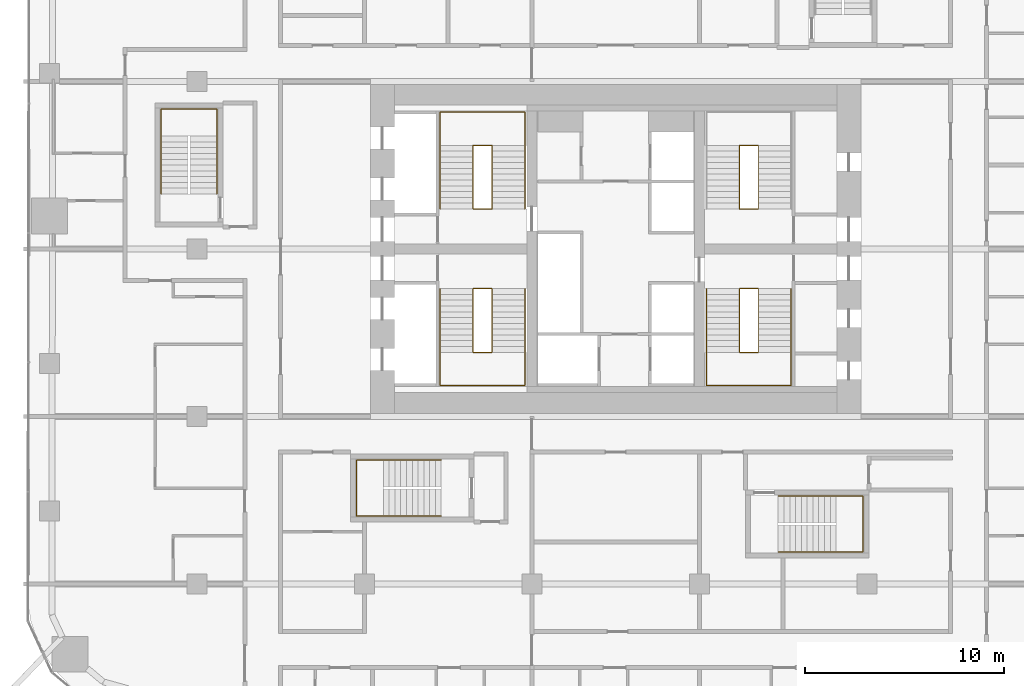
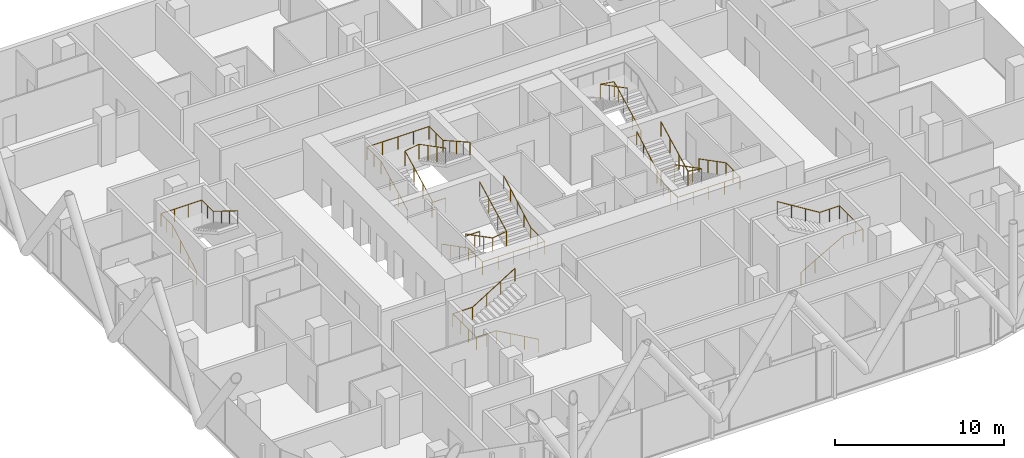
# One storey, part 33 of 34: 10 railings.
"""IFC4 building model written with IfcOpenShell, lengths in metres."""

from ifc_helpers import new_model, si_unit, direction, frame, origin, origin_2d, place, context, subcontext, project, spatial, circle, extrude, material, type_object, element, save


model = new_model("IFC4")

# Units and contexts
model_context = context("Model", 3, precision=1e-05, world=origin(), true_north=direction((0.0, 1.0)))
body_context = subcontext(model_context, "Body", "Model", "MODEL_VIEW")
ifc_project = project(units=[si_unit("LENGTHUNIT", "METRE"), si_unit("AREAUNIT", "SQUARE_METRE"), si_unit("VOLUMEUNIT", "CUBIC_METRE"), si_unit("PLANEANGLEUNIT", "RADIAN"), si_unit("MASSUNIT", "GRAM", prefix="KILO")], contexts=[model_context])

# Site, building, storey
site_placement = place(None, origin())
site = spatial("IfcSite", under=ifc_project, at=site_placement, CompositionType="ELEMENT")
building_placement = place(site_placement, origin())
building = spatial("IfcBuilding", under=site, at=building_placement, Name="Marenta Gate Hotel Tower", CompositionType="ELEMENT")
storey_placement = place(building_placement, frame((0.0, 0.0, 47.300048828125)))
storey = spatial("IfcBuildingStorey", under=building, at=storey_placement, Name="L09", CompositionType="ELEMENT", Elevation=47.300048828125)

# Railings
ifc_material_1 = material(Name="Stainless steel", Category="steel")
railing_type_1 = type_object("IfcRailingType", Name="Core stair handrail 950", PredefinedType="HANDRAIL", material=ifc_material_1)
railing_1_placement = place(storey_placement, frame((-8.800048828125, 6.39990234375, 0.14990234375)))
element("IfcRailing", 1, at=railing_1_placement, inside=storey, type_object=railing_type_1, Name="HR-950 L09-KR-ST1-1", PredefinedType="HANDRAIL", context=body_context, shape_type="SweptSolid", body=[
    extrude(circle(Radius=0.02392578125, at=origin_2d()), frame((0.0, 0.0, 0.92578125), z_axis=(0.0, -0.888197555067, 0.459461753765), x_axis=(1.0, 0.0, 0.0)), (0.0, 0.0, 1.0), 3.591552734375),
    extrude(circle(Radius=0.02392578125, at=origin_2d()), frame((0.0, -3.18994140625, 2.576171875), z_axis=(0.0, -1.0, 0.0), x_axis=(1.0, 0.0, 0.0)), (0.0, 0.0, 1.0), 1.659912109375),
    extrude(circle(Radius=0.02392578125, at=origin_2d()), frame((0.0, -4.849853515625, 2.576171875), z_axis=(1.0, 0.0, 0.0), x_axis=(0.0, 1.0, 0.0)), (0.0, 0.0, 1.0), 4.25),
    extrude(circle(Radius=0.02392578125, at=origin_2d()), frame((4.25, -4.849853515625, 2.576171875), z_axis=(0.0, 1.0, 0.0), x_axis=(-1.0, 0.0, 0.0)), (0.0, 0.0, 1.0), 1.659912109375),
    extrude(circle(Radius=0.02392578125, at=origin_2d()), frame((4.25, -3.18994140625, 2.576171875), z_axis=(0.0, 0.870937506535, 0.491393792911), x_axis=(-1.0, 0.0, 0.0)), (0.0, 0.0, 1.0), 3.66259765625),
    extrude(circle(Radius=0.02099609375, at=origin_2d()), origin(), (0.0, 0.0, 1.0), 0.90185546875),
    extrude(circle(Radius=0.02099609375, at=origin_2d()), frame((0.0, -1.063232421875, 0.550048828125)), (0.0, 0.0, 1.0), 0.90185546875),
    extrude(circle(Radius=0.02099609375, at=origin_2d()), frame((0.0, -2.126708984375, 1.10009765625)), (0.0, 0.0, 1.0), 0.90185546875),
    extrude(circle(Radius=0.02099609375, at=origin_2d()), frame((0.0, -3.18994140625, 1.650146484375)), (0.0, 0.0, 1.0), 0.90185546875),
    extrude(circle(Radius=0.02099609375, at=origin_2d()), frame((0.0, -4.02001953125, 1.650146484375)), (0.0, 0.0, 1.0), 0.90185546875),
    extrude(circle(Radius=0.02099609375, at=origin_2d()), frame((0.0, -4.849853515625, 1.650146484375)), (0.0, 0.0, 1.0), 0.90185546875),
    extrude(circle(Radius=0.02099609375, at=origin_2d()), frame((1.0625, -4.849853515625, 1.650146484375)), (0.0, 0.0, 1.0), 0.90185546875),
    extrude(circle(Radius=0.02099609375, at=origin_2d()), frame((2.125, -4.849853515625, 1.650146484375)), (0.0, 0.0, 1.0), 0.90185546875),
    extrude(circle(Radius=0.02099609375, at=origin_2d()), frame((3.1875, -4.849853515625, 1.650146484375)), (0.0, 0.0, 1.0), 0.90185546875),
    extrude(circle(Radius=0.02099609375, at=origin_2d()), frame((4.25, -4.849853515625, 1.650146484375)), (0.0, 0.0, 1.0), 0.90185546875),
    extrude(circle(Radius=0.02099609375, at=origin_2d()), frame((4.25, -4.02001953125, 1.650146484375)), (0.0, 0.0, 1.0), 0.90185546875),
    extrude(circle(Radius=0.02099609375, at=origin_2d()), frame((4.25, -3.18994140625, 1.650146484375)), (0.0, 0.0, 1.0), 0.90185546875),
    extrude(circle(Radius=0.02099609375, at=origin_2d()), frame((4.25, -2.392578125, 2.10009765625)), (0.0, 0.0, 1.0), 0.90185546875),
    extrude(circle(Radius=0.02099609375, at=origin_2d()), frame((4.25, -1.594970703125, 2.550048828125)), (0.0, 0.0, 1.0), 0.90185546875),
    extrude(circle(Radius=0.02099609375, at=origin_2d()), frame((4.25, -0.79736328125, 3.0)), (0.0, 0.0, 1.0), 0.90185546875),
    extrude(circle(Radius=0.02099609375, at=origin_2d()), frame((4.25, 0.0, 3.449951171875)), (0.0, 0.0, 1.0), 0.90185546875),
])
railing_2_placement = place(storey_placement, frame((-8.800048828125, 10.39990234375, 0.14990234375)))
element("IfcRailing", 2, at=railing_2_placement, inside=storey, type_object=railing_type_1, Name="HR-950 L09-KR-ST2-1", PredefinedType="HANDRAIL", context=body_context, shape_type="SweptSolid", body=[
    extrude(circle(Radius=0.02392578125, at=origin_2d()), frame((0.0, 0.0, 0.92578125), z_axis=(0.0, 0.888211904222, 0.459434013977), x_axis=(-1.0, 0.0, 0.0)), (0.0, 0.0, 1.0), 3.591796875),
    extrude(circle(Radius=0.02392578125, at=origin_2d()), frame((0.0, 3.190185546875, 2.576171875), z_axis=(0.0, 1.0, 0.0), x_axis=(-1.0, 0.0, 0.0)), (0.0, 0.0, 1.0), 1.659912109375),
    extrude(circle(Radius=0.02392578125, at=origin_2d()), frame((0.0, 4.85009765625, 2.576171875), z_axis=(1.0, 0.0, 0.0), x_axis=(0.0, 1.0, 0.0)), (0.0, 0.0, 1.0), 4.25),
    extrude(circle(Radius=0.02392578125, at=origin_2d()), frame((4.25, 4.85009765625, 2.576171875), z_axis=(0.0, -1.0, 0.0), x_axis=(1.0, 0.0, 0.0)), (0.0, 0.0, 1.0), 1.659912109375),
    extrude(circle(Radius=0.02392578125, at=origin_2d()), frame((4.25, 3.190185546875, 2.576171875), z_axis=(0.0, -0.870953600603, 0.491365266982), x_axis=(1.0, 0.0, 0.0)), (0.0, 0.0, 1.0), 3.662841796875),
    extrude(circle(Radius=0.02099609375, at=origin_2d()), origin(), (0.0, 0.0, 1.0), 0.90185546875),
    extrude(circle(Radius=0.02099609375, at=origin_2d()), frame((0.0, 1.0634765625, 0.550048828125)), (0.0, 0.0, 1.0), 0.90185546875),
    extrude(circle(Radius=0.02099609375, at=origin_2d()), frame((0.0, 2.126708984375, 1.10009765625)), (0.0, 0.0, 1.0), 0.90185546875),
    extrude(circle(Radius=0.02099609375, at=origin_2d()), frame((0.0, 3.190185546875, 1.650146484375)), (0.0, 0.0, 1.0), 0.90185546875),
    extrude(circle(Radius=0.02099609375, at=origin_2d()), frame((0.0, 4.02001953125, 1.650146484375)), (0.0, 0.0, 1.0), 0.90185546875),
    extrude(circle(Radius=0.02099609375, at=origin_2d()), frame((0.0, 4.85009765625, 1.650146484375)), (0.0, 0.0, 1.0), 0.90185546875),
    extrude(circle(Radius=0.02099609375, at=origin_2d()), frame((1.0625, 4.85009765625, 1.650146484375)), (0.0, 0.0, 1.0), 0.90185546875),
    extrude(circle(Radius=0.02099609375, at=origin_2d()), frame((2.125, 4.85009765625, 1.650146484375)), (0.0, 0.0, 1.0), 0.90185546875),
    extrude(circle(Radius=0.02099609375, at=origin_2d()), frame((3.1875, 4.85009765625, 1.650146484375)), (0.0, 0.0, 1.0), 0.90185546875),
    extrude(circle(Radius=0.02099609375, at=origin_2d()), frame((4.25, 4.85009765625, 1.650146484375)), (0.0, 0.0, 1.0), 0.90185546875),
    extrude(circle(Radius=0.02099609375, at=origin_2d()), frame((4.25, 4.02001953125, 1.650146484375)), (0.0, 0.0, 1.0), 0.90185546875),
    extrude(circle(Radius=0.02099609375, at=origin_2d()), frame((4.25, 3.190185546875, 1.650146484375)), (0.0, 0.0, 1.0), 0.90185546875),
    extrude(circle(Radius=0.02099609375, at=origin_2d()), frame((4.25, 2.392578125, 2.10009765625)), (0.0, 0.0, 1.0), 0.90185546875),
    extrude(circle(Radius=0.02099609375, at=origin_2d()), frame((4.25, 1.59521484375, 2.550048828125)), (0.0, 0.0, 1.0), 0.90185546875),
    extrude(circle(Radius=0.02099609375, at=origin_2d()), frame((4.25, 0.797607421875, 3.0)), (0.0, 0.0, 1.0), 0.90185546875),
    extrude(circle(Radius=0.02099609375, at=origin_2d()), frame((4.25, 0.0, 3.449951171875)), (0.0, 0.0, 1.0), 0.90185546875),
])
railing_3_placement = place(storey_placement, frame((8.800048828125, 6.39990234375, 0.14990234375)))
element("IfcRailing", 3, at=railing_3_placement, inside=storey, type_object=railing_type_1, Name="HR-950 L09-KR-ST3-1", PredefinedType="HANDRAIL", context=body_context, shape_type="SweptSolid", body=[
    extrude(circle(Radius=0.02392578125, at=origin_2d()), frame((0.0, 0.0, 0.92578125), z_axis=(0.0, -0.888197555067, 0.459461753765), x_axis=(1.0, 0.0, 0.0)), (0.0, 0.0, 1.0), 3.591552734375),
    extrude(circle(Radius=0.02392578125, at=origin_2d()), frame((0.0, -3.18994140625, 2.576171875), z_axis=(0.0, -1.0, 0.0), x_axis=(1.0, 0.0, 0.0)), (0.0, 0.0, 1.0), 1.659912109375),
    extrude(circle(Radius=0.02392578125, at=origin_2d()), frame((0.0, -4.849853515625, 2.576171875), z_axis=(-1.0, 0.0, 0.0), x_axis=(0.0, -1.0, 0.0)), (0.0, 0.0, 1.0), 4.25),
    extrude(circle(Radius=0.02392578125, at=origin_2d()), frame((-4.25, -4.849853515625, 2.576171875), z_axis=(0.0, 1.0, 0.0), x_axis=(-1.0, 0.0, 0.0)), (0.0, 0.0, 1.0), 1.659912109375),
    extrude(circle(Radius=0.02392578125, at=origin_2d()), frame((-4.25, -3.18994140625, 2.576171875), z_axis=(0.0, 0.870937506535, 0.491393792911), x_axis=(-1.0, 0.0, 0.0)), (0.0, 0.0, 1.0), 3.66259765625),
    extrude(circle(Radius=0.02099609375, at=origin_2d()), origin(), (0.0, 0.0, 1.0), 0.90185546875),
    extrude(circle(Radius=0.02099609375, at=origin_2d()), frame((0.0, -1.063232421875, 0.550048828125)), (0.0, 0.0, 1.0), 0.90185546875),
    extrude(circle(Radius=0.02099609375, at=origin_2d()), frame((0.0, -2.126708984375, 1.10009765625)), (0.0, 0.0, 1.0), 0.90185546875),
    extrude(circle(Radius=0.02099609375, at=origin_2d()), frame((0.0, -3.18994140625, 1.650146484375)), (0.0, 0.0, 1.0), 0.90185546875),
    extrude(circle(Radius=0.02099609375, at=origin_2d()), frame((0.0, -4.02001953125, 1.650146484375)), (0.0, 0.0, 1.0), 0.90185546875),
    extrude(circle(Radius=0.02099609375, at=origin_2d()), frame((0.0, -4.849853515625, 1.650146484375)), (0.0, 0.0, 1.0), 0.90185546875),
    extrude(circle(Radius=0.02099609375, at=origin_2d()), frame((-1.0625, -4.849853515625, 1.650146484375)), (0.0, 0.0, 1.0), 0.90185546875),
    extrude(circle(Radius=0.02099609375, at=origin_2d()), frame((-2.125, -4.849853515625, 1.650146484375)), (0.0, 0.0, 1.0), 0.90185546875),
    extrude(circle(Radius=0.02099609375, at=origin_2d()), frame((-3.1875, -4.849853515625, 1.650146484375)), (0.0, 0.0, 1.0), 0.90185546875),
    extrude(circle(Radius=0.02099609375, at=origin_2d()), frame((-4.25, -4.849853515625, 1.650146484375)), (0.0, 0.0, 1.0), 0.90185546875),
    extrude(circle(Radius=0.02099609375, at=origin_2d()), frame((-4.25, -4.02001953125, 1.650146484375)), (0.0, 0.0, 1.0), 0.90185546875),
    extrude(circle(Radius=0.02099609375, at=origin_2d()), frame((-4.25, -3.18994140625, 1.650146484375)), (0.0, 0.0, 1.0), 0.90185546875),
    extrude(circle(Radius=0.02099609375, at=origin_2d()), frame((-4.25, -2.392578125, 2.10009765625)), (0.0, 0.0, 1.0), 0.90185546875),
    extrude(circle(Radius=0.02099609375, at=origin_2d()), frame((-4.25, -1.594970703125, 2.550048828125)), (0.0, 0.0, 1.0), 0.90185546875),
    extrude(circle(Radius=0.02099609375, at=origin_2d()), frame((-4.25, -0.79736328125, 3.0)), (0.0, 0.0, 1.0), 0.90185546875),
    extrude(circle(Radius=0.02099609375, at=origin_2d()), frame((-4.25, 0.0, 3.449951171875)), (0.0, 0.0, 1.0), 0.90185546875),
])
railing_4_placement = place(storey_placement, frame((8.14990234375, -6.800048828125, 0.16357421875)))
element("IfcRailing", 4, at=railing_4_placement, inside=storey, type_object=railing_type_1, Name="HR-950 L09-RS-Z1-1-KR-1", PredefinedType="HANDRAIL", context=body_context, shape_type="SweptSolid", body=[
    extrude(circle(Radius=0.02392578125, at=origin_2d()), frame((0.0, 0.0, 0.92578125), z_axis=(0.870914908162, 0.0, 0.491433843708), x_axis=(0.0, 1.0, 0.0)), (0.0, 0.0, 1.0), 3.330078125),
    extrude(circle(Radius=0.02392578125, at=origin_2d()), frame((2.900146484375, 0.0, 2.5625), z_axis=(1.0, 0.0, 0.0), x_axis=(0.0, 1.0, 0.0)), (0.0, 0.0, 1.0), 1.349853515625),
    extrude(circle(Radius=0.02392578125, at=origin_2d()), frame((4.25, 0.0, 2.5625), z_axis=(0.0, 1.0, 0.0), x_axis=(-1.0, 0.0, 0.0)), (0.0, 0.0, 1.0), 2.800048828125),
    extrude(circle(Radius=0.02392578125, at=origin_2d()), frame((4.25, 2.800048828125, 2.5625), z_axis=(-1.0, 0.0, 0.0), x_axis=(0.0, -1.0, 0.0)), (0.0, 0.0, 1.0), 1.349853515625),
    extrude(circle(Radius=0.02392578125, at=origin_2d()), frame((2.900146484375, 2.800048828125, 2.5625), z_axis=(-0.849677739116, 0.0, 0.527302322819), x_axis=(0.0, -1.0, 0.0)), (0.0, 0.0, 1.0), 3.413330078125),
    extrude(circle(Radius=0.02099609375, at=origin_2d()), origin(), (0.0, 0.0, 1.0), 0.90185546875),
    extrude(circle(Radius=0.02099609375, at=origin_2d()), frame((0.966796875, 0.0, 0.54541015625)), (0.0, 0.0, 1.0), 0.90185546875),
    extrude(circle(Radius=0.02099609375, at=origin_2d()), frame((1.933349609375, 0.0, 1.091064453125)), (0.0, 0.0, 1.0), 0.90185546875),
    extrude(circle(Radius=0.02099609375, at=origin_2d()), frame((2.900146484375, 0.0, 1.636474609375)), (0.0, 0.0, 1.0), 0.90185546875),
    extrude(circle(Radius=0.02099609375, at=origin_2d()), frame((3.5751953125, 0.0, 1.636474609375)), (0.0, 0.0, 1.0), 0.90185546875),
    extrude(circle(Radius=0.02099609375, at=origin_2d()), frame((4.25, 0.0, 1.636474609375)), (0.0, 0.0, 1.0), 0.90185546875),
    extrude(circle(Radius=0.02099609375, at=origin_2d()), frame((4.25, 0.933349609375, 1.636474609375)), (0.0, 0.0, 1.0), 0.90185546875),
    extrude(circle(Radius=0.02099609375, at=origin_2d()), frame((4.25, 1.86669921875, 1.636474609375)), (0.0, 0.0, 1.0), 0.90185546875),
    extrude(circle(Radius=0.02099609375, at=origin_2d()), frame((4.25, 2.800048828125, 1.636474609375)), (0.0, 0.0, 1.0), 0.90185546875),
    extrude(circle(Radius=0.02099609375, at=origin_2d()), frame((3.5751953125, 2.800048828125, 1.636474609375)), (0.0, 0.0, 1.0), 0.90185546875),
    extrude(circle(Radius=0.02099609375, at=origin_2d()), frame((2.900146484375, 2.800048828125, 1.636474609375)), (0.0, 0.0, 1.0), 0.90185546875),
    extrude(circle(Radius=0.02099609375, at=origin_2d()), frame((1.933349609375, 2.800048828125, 2.236328125)), (0.0, 0.0, 1.0), 0.90185546875),
    extrude(circle(Radius=0.02099609375, at=origin_2d()), frame((0.966796875, 2.800048828125, 2.83642578125)), (0.0, 0.0, 1.0), 0.90185546875),
    extrude(circle(Radius=0.02099609375, at=origin_2d()), frame((0.0, 2.800048828125, 3.436279296875)), (0.0, 0.0, 1.0), 0.90185546875),
])
railing_5_placement = place(storey_placement, frame((-8.75, -5.0, 0.16357421875)))
element("IfcRailing", 5, at=railing_5_placement, inside=storey, type_object=railing_type_1, Name="HR-950 L09-RS-Z1-2-KR-1", PredefinedType="HANDRAIL", context=body_context, shape_type="SweptSolid", body=[
    extrude(circle(Radius=0.02392578125, at=origin_2d()), frame((0.0, 0.0, 0.92578125), z_axis=(-0.870897200241, 0.0, 0.491465224214), x_axis=(0.0, -1.0, 0.0)), (0.0, 0.0, 1.0), 3.329833984375),
    extrude(circle(Radius=0.02392578125, at=origin_2d()), frame((-2.89990234375, 0.0, 2.5625), z_axis=(-1.0, 0.0, 0.0), x_axis=(0.0, -1.0, 0.0)), (0.0, 0.0, 1.0), 1.35009765625),
    extrude(circle(Radius=0.02392578125, at=origin_2d()), frame((-4.25, 0.0, 2.5625), z_axis=(0.0, 1.0, 0.0), x_axis=(-1.0, 0.0, 0.0)), (0.0, 0.0, 1.0), 2.800048828125),
    extrude(circle(Radius=0.02392578125, at=origin_2d()), frame((-4.25, 2.800048828125, 2.5625), z_axis=(1.0, 0.0, 0.0), x_axis=(0.0, 1.0, 0.0)), (0.0, 0.0, 1.0), 1.35009765625),
    extrude(circle(Radius=0.02392578125, at=origin_2d()), frame((-2.89990234375, 2.800048828125, 2.5625), z_axis=(0.849657849183, 0.0, 0.527334371458), x_axis=(0.0, 1.0, 0.0)), (0.0, 0.0, 1.0), 3.4130859375),
    extrude(circle(Radius=0.02099609375, at=origin_2d()), origin(), (0.0, 0.0, 1.0), 0.90185546875),
    extrude(circle(Radius=0.02099609375, at=origin_2d()), frame((-0.966552734375, 0.0, 0.54541015625)), (0.0, 0.0, 1.0), 0.90185546875),
    extrude(circle(Radius=0.02099609375, at=origin_2d()), frame((-1.933349609375, 0.0, 1.091064453125)), (0.0, 0.0, 1.0), 0.90185546875),
    extrude(circle(Radius=0.02099609375, at=origin_2d()), frame((-2.89990234375, 0.0, 1.636474609375)), (0.0, 0.0, 1.0), 0.90185546875),
    extrude(circle(Radius=0.02099609375, at=origin_2d()), frame((-3.574951171875, 0.0, 1.636474609375)), (0.0, 0.0, 1.0), 0.90185546875),
    extrude(circle(Radius=0.02099609375, at=origin_2d()), frame((-4.25, 0.0, 1.636474609375)), (0.0, 0.0, 1.0), 0.90185546875),
    extrude(circle(Radius=0.02099609375, at=origin_2d()), frame((-4.25, 0.933349609375, 1.636474609375)), (0.0, 0.0, 1.0), 0.90185546875),
    extrude(circle(Radius=0.02099609375, at=origin_2d()), frame((-4.25, 1.86669921875, 1.636474609375)), (0.0, 0.0, 1.0), 0.90185546875),
    extrude(circle(Radius=0.02099609375, at=origin_2d()), frame((-4.25, 2.800048828125, 1.636474609375)), (0.0, 0.0, 1.0), 0.90185546875),
    extrude(circle(Radius=0.02099609375, at=origin_2d()), frame((-3.574951171875, 2.800048828125, 1.636474609375)), (0.0, 0.0, 1.0), 0.90185546875),
    extrude(circle(Radius=0.02099609375, at=origin_2d()), frame((-2.89990234375, 2.800048828125, 1.636474609375)), (0.0, 0.0, 1.0), 0.90185546875),
    extrude(circle(Radius=0.02099609375, at=origin_2d()), frame((-1.933349609375, 2.800048828125, 2.236328125)), (0.0, 0.0, 1.0), 0.90185546875),
    extrude(circle(Radius=0.02099609375, at=origin_2d()), frame((-0.966552734375, 2.800048828125, 2.83642578125)), (0.0, 0.0, 1.0), 0.90185546875),
    extrude(circle(Radius=0.02099609375, at=origin_2d()), frame((0.0, 2.800048828125, 3.436279296875)), (0.0, 0.0, 1.0), 0.90185546875),
])
railing_6_placement = place(storey_placement, frame((-22.800048828125, 11.14990234375, 0.16357421875)))
element("IfcRailing", 6, at=railing_6_placement, inside=storey, type_object=railing_type_1, Name="HR-950 L09-RS-Z1-3-KR-1", PredefinedType="HANDRAIL", context=body_context, shape_type="SweptSolid", body=[
    extrude(circle(Radius=0.02392578125, at=origin_2d()), frame((0.0, 0.0, 0.92578125), z_axis=(0.0, 0.870914908162, 0.491433843708), x_axis=(-1.0, 0.0, 0.0)), (0.0, 0.0, 1.0), 3.330078125),
    extrude(circle(Radius=0.02392578125, at=origin_2d()), frame((0.0, 2.900146484375, 2.5625), z_axis=(0.0, 1.0, 0.0), x_axis=(-1.0, 0.0, 0.0)), (0.0, 0.0, 1.0), 1.349853515625),
    extrude(circle(Radius=0.02392578125, at=origin_2d()), frame((0.0, 4.25, 2.5625), z_axis=(1.0, 0.0, 0.0), x_axis=(0.0, 1.0, 0.0)), (0.0, 0.0, 1.0), 2.800048828125),
    extrude(circle(Radius=0.02392578125, at=origin_2d()), frame((2.800048828125, 4.25, 2.5625), z_axis=(0.0, -1.0, 0.0), x_axis=(1.0, 0.0, 0.0)), (0.0, 0.0, 1.0), 1.349853515625),
    extrude(circle(Radius=0.02392578125, at=origin_2d()), frame((2.800048828125, 2.900146484375, 2.5625), z_axis=(0.0, -0.849677739116, 0.527302322819), x_axis=(1.0, 0.0, 0.0)), (0.0, 0.0, 1.0), 3.413330078125),
    extrude(circle(Radius=0.02099609375, at=origin_2d()), origin(), (0.0, 0.0, 1.0), 0.90185546875),
    extrude(circle(Radius=0.02099609375, at=origin_2d()), frame((0.0, 0.966796875, 0.54541015625)), (0.0, 0.0, 1.0), 0.90185546875),
    extrude(circle(Radius=0.02099609375, at=origin_2d()), frame((0.0, 1.933349609375, 1.091064453125)), (0.0, 0.0, 1.0), 0.90185546875),
    extrude(circle(Radius=0.02099609375, at=origin_2d()), frame((0.0, 2.900146484375, 1.636474609375)), (0.0, 0.0, 1.0), 0.90185546875),
    extrude(circle(Radius=0.02099609375, at=origin_2d()), frame((0.0, 3.5751953125, 1.636474609375)), (0.0, 0.0, 1.0), 0.90185546875),
    extrude(circle(Radius=0.02099609375, at=origin_2d()), frame((0.0, 4.25, 1.636474609375)), (0.0, 0.0, 1.0), 0.90185546875),
    extrude(circle(Radius=0.02099609375, at=origin_2d()), frame((0.933349609375, 4.25, 1.636474609375)), (0.0, 0.0, 1.0), 0.90185546875),
    extrude(circle(Radius=0.02099609375, at=origin_2d()), frame((1.86669921875, 4.25, 1.636474609375)), (0.0, 0.0, 1.0), 0.90185546875),
    extrude(circle(Radius=0.02099609375, at=origin_2d()), frame((2.800048828125, 4.25, 1.636474609375)), (0.0, 0.0, 1.0), 0.90185546875),
    extrude(circle(Radius=0.02099609375, at=origin_2d()), frame((2.800048828125, 3.5751953125, 1.636474609375)), (0.0, 0.0, 1.0), 0.90185546875),
    extrude(circle(Radius=0.02099609375, at=origin_2d()), frame((2.800048828125, 2.900146484375, 1.636474609375)), (0.0, 0.0, 1.0), 0.90185546875),
    extrude(circle(Radius=0.02099609375, at=origin_2d()), frame((2.800048828125, 1.933349609375, 2.236328125)), (0.0, 0.0, 1.0), 0.90185546875),
    extrude(circle(Radius=0.02099609375, at=origin_2d()), frame((2.800048828125, 0.966796875, 2.83642578125)), (0.0, 0.0, 1.0), 0.90185546875),
    extrude(circle(Radius=0.02099609375, at=origin_2d()), frame((2.800048828125, 0.0, 3.436279296875)), (0.0, 0.0, 1.0), 0.90185546875),
])
ifc_material_2 = material(Name="Stainless steel", Category="steel")
railing_type_2 = type_object("IfcRailingType", Name="Core stair well guard 1100", PredefinedType="GUARDRAIL", material=ifc_material_2)
railing_7_placement = place(storey_placement, frame((-6.199951171875, 6.39990234375, 0.0)))
element("IfcRailing", 7, at=railing_7_placement, inside=storey, type_object=railing_type_2, Name="GR-1100 L09-KR-ST1-2", PredefinedType="GUARDRAIL", context=body_context, shape_type="SweptSolid", body=[
    extrude(circle(Radius=0.02392578125, at=origin_2d()), frame((0.0, 0.0, 1.076171875), z_axis=(-1.0, 0.0, 0.0), x_axis=(0.0, -1.0, 0.0)), (0.0, 0.0, 1.0), 0.949951171875),
    extrude(circle(Radius=0.02392578125, at=origin_2d()), frame((-0.949951171875, 0.0, 1.076171875), z_axis=(0.0, 0.0, 1.0), x_axis=(1.0, 0.0, 0.0)), (0.0, 0.0, 1.0), 0.14990234375),
    extrude(circle(Radius=0.02392578125, at=origin_2d()), frame((-0.949951171875, 0.0, 1.22607421875), z_axis=(0.0, -0.888197555067, 0.459461753765), x_axis=(1.0, 0.0, 0.0)), (0.0, 0.0, 1.0), 3.591552734375),
    extrude(circle(Radius=0.02392578125, at=origin_2d()), frame((-0.949951171875, -3.18994140625, 2.8759765625), z_axis=(0.987777369502, 0.0, 0.15587131968), x_axis=(0.0, 1.0, 0.0)), (0.0, 0.0, 1.0), 0.961669921875),
    extrude(circle(Radius=0.02392578125, at=origin_2d()), frame((0.0, -3.18994140625, 3.02587890625), z_axis=(0.0, 0.888225295554, 0.459408123936), x_axis=(-1.0, 0.0, 0.0)), (0.0, 0.0, 1.0), 3.59130859375),
    extrude(circle(Radius=0.02099609375, at=origin_2d()), origin(), (0.0, 0.0, 1.0), 1.052001953125),
    extrude(circle(Radius=0.02099609375, at=origin_2d()), frame((-0.949951171875, 0.0, 0.0)), (0.0, 0.0, 1.0), 1.052001953125),
    extrude(circle(Radius=0.02099609375, at=origin_2d()), frame((-0.949951171875, 0.0, 0.14990234375)), (0.0, 0.0, 1.0), 1.052001953125),
    extrude(circle(Radius=0.02099609375, at=origin_2d()), frame((-0.949951171875, -1.063232421875, 0.699951171875)), (0.0, 0.0, 1.0), 1.052001953125),
    extrude(circle(Radius=0.02099609375, at=origin_2d()), frame((-0.949951171875, -2.126708984375, 1.25)), (0.0, 0.0, 1.0), 1.052001953125),
    extrude(circle(Radius=0.02099609375, at=origin_2d()), frame((-0.949951171875, -3.18994140625, 1.800048828125)), (0.0, 0.0, 1.0), 1.052001953125),
    extrude(circle(Radius=0.02099609375, at=origin_2d()), frame((0.0, -3.18994140625, 1.949951171875)), (0.0, 0.0, 1.0), 1.052001953125),
    extrude(circle(Radius=0.02099609375, at=origin_2d()), frame((0.0, -2.126708984375, 2.5)), (0.0, 0.0, 1.0), 1.052001953125),
    extrude(circle(Radius=0.02099609375, at=origin_2d()), frame((0.0, -1.063232421875, 3.0498046875)), (0.0, 0.0, 1.0), 1.052001953125),
    extrude(circle(Radius=0.02099609375, at=origin_2d()), frame((0.0, 0.0, 3.599853515625)), (0.0, 0.0, 1.0), 1.052001953125),
])
railing_8_placement = place(storey_placement, frame((-6.199951171875, 10.39990234375, 0.0)))
element("IfcRailing", 8, at=railing_8_placement, inside=storey, type_object=railing_type_2, Name="GR-1100 L09-KR-ST2-2", PredefinedType="GUARDRAIL", context=body_context, shape_type="SweptSolid", body=[
    extrude(circle(Radius=0.02392578125, at=origin_2d()), frame((0.0, 0.0, 1.076171875), z_axis=(-1.0, 0.0, 0.0), x_axis=(0.0, -1.0, 0.0)), (0.0, 0.0, 1.0), 0.949951171875),
    extrude(circle(Radius=0.02392578125, at=origin_2d()), frame((-0.949951171875, 0.0, 1.076171875), z_axis=(0.0, 0.0, 1.0), x_axis=(1.0, 0.0, 0.0)), (0.0, 0.0, 1.0), 0.14990234375),
    extrude(circle(Radius=0.02392578125, at=origin_2d()), frame((-0.949951171875, 0.0, 1.22607421875), z_axis=(0.0, 0.888211904222, 0.459434013977), x_axis=(-1.0, 0.0, 0.0)), (0.0, 0.0, 1.0), 3.591796875),
    extrude(circle(Radius=0.02392578125, at=origin_2d()), frame((-0.949951171875, 3.190185546875, 2.8759765625), z_axis=(0.987777369502, 0.0, 0.15587131968), x_axis=(0.0, 1.0, 0.0)), (0.0, 0.0, 1.0), 0.961669921875),
    extrude(circle(Radius=0.02392578125, at=origin_2d()), frame((0.0, 3.190185546875, 3.02587890625), z_axis=(0.0, -0.888239641807, 0.459380385653), x_axis=(1.0, 0.0, 0.0)), (0.0, 0.0, 1.0), 3.591552734375),
    extrude(circle(Radius=0.02099609375, at=origin_2d()), origin(), (0.0, 0.0, 1.0), 1.052001953125),
    extrude(circle(Radius=0.02099609375, at=origin_2d()), frame((-0.949951171875, 0.0, 0.0)), (0.0, 0.0, 1.0), 1.052001953125),
    extrude(circle(Radius=0.02099609375, at=origin_2d()), frame((-0.949951171875, 0.0, 0.14990234375)), (0.0, 0.0, 1.0), 1.052001953125),
    extrude(circle(Radius=0.02099609375, at=origin_2d()), frame((-0.949951171875, 1.0634765625, 0.699951171875)), (0.0, 0.0, 1.0), 1.052001953125),
    extrude(circle(Radius=0.02099609375, at=origin_2d()), frame((-0.949951171875, 2.126708984375, 1.25)), (0.0, 0.0, 1.0), 1.052001953125),
    extrude(circle(Radius=0.02099609375, at=origin_2d()), frame((-0.949951171875, 3.190185546875, 1.800048828125)), (0.0, 0.0, 1.0), 1.052001953125),
    extrude(circle(Radius=0.02099609375, at=origin_2d()), frame((0.0, 3.190185546875, 1.949951171875)), (0.0, 0.0, 1.0), 1.052001953125),
    extrude(circle(Radius=0.02099609375, at=origin_2d()), frame((0.0, 2.126708984375, 2.5)), (0.0, 0.0, 1.0), 1.052001953125),
    extrude(circle(Radius=0.02099609375, at=origin_2d()), frame((0.0, 1.0634765625, 3.0498046875)), (0.0, 0.0, 1.0), 1.052001953125),
    extrude(circle(Radius=0.02099609375, at=origin_2d()), frame((0.0, 0.0, 3.599853515625)), (0.0, 0.0, 1.0), 1.052001953125),
])
railing_9_placement = place(storey_placement, frame((6.199951171875, 6.39990234375, 0.0)))
element("IfcRailing", 9, at=railing_9_placement, inside=storey, type_object=railing_type_2, Name="GR-1100 L09-KR-ST3-2", PredefinedType="GUARDRAIL", context=body_context, shape_type="SweptSolid", body=[
    extrude(circle(Radius=0.02392578125, at=origin_2d()), frame((0.0, 0.0, 1.076171875), z_axis=(1.0, 0.0, 0.0), x_axis=(0.0, 1.0, 0.0)), (0.0, 0.0, 1.0), 0.949951171875),
    extrude(circle(Radius=0.02392578125, at=origin_2d()), frame((0.949951171875, 0.0, 1.076171875), z_axis=(0.0, 0.0, 1.0), x_axis=(1.0, 0.0, 0.0)), (0.0, 0.0, 1.0), 0.14990234375),
    extrude(circle(Radius=0.02392578125, at=origin_2d()), frame((0.949951171875, 0.0, 1.22607421875), z_axis=(0.0, -0.888197555067, 0.459461753765), x_axis=(1.0, 0.0, 0.0)), (0.0, 0.0, 1.0), 3.591552734375),
    extrude(circle(Radius=0.02392578125, at=origin_2d()), frame((0.949951171875, -3.18994140625, 2.8759765625), z_axis=(-0.987777369502, 0.0, 0.15587131968), x_axis=(0.0, -1.0, 0.0)), (0.0, 0.0, 1.0), 0.961669921875),
    extrude(circle(Radius=0.02392578125, at=origin_2d()), frame((0.0, -3.18994140625, 3.02587890625), z_axis=(0.0, 0.888225295554, 0.459408123936), x_axis=(-1.0, 0.0, 0.0)), (0.0, 0.0, 1.0), 3.59130859375),
    extrude(circle(Radius=0.02099609375, at=origin_2d()), origin(), (0.0, 0.0, 1.0), 1.052001953125),
    extrude(circle(Radius=0.02099609375, at=origin_2d()), frame((0.949951171875, 0.0, 0.0)), (0.0, 0.0, 1.0), 1.052001953125),
    extrude(circle(Radius=0.02099609375, at=origin_2d()), frame((0.949951171875, 0.0, 0.14990234375)), (0.0, 0.0, 1.0), 1.052001953125),
    extrude(circle(Radius=0.02099609375, at=origin_2d()), frame((0.949951171875, -1.063232421875, 0.699951171875)), (0.0, 0.0, 1.0), 1.052001953125),
    extrude(circle(Radius=0.02099609375, at=origin_2d()), frame((0.949951171875, -2.126708984375, 1.25)), (0.0, 0.0, 1.0), 1.052001953125),
    extrude(circle(Radius=0.02099609375, at=origin_2d()), frame((0.949951171875, -3.18994140625, 1.800048828125)), (0.0, 0.0, 1.0), 1.052001953125),
    extrude(circle(Radius=0.02099609375, at=origin_2d()), frame((0.0, -3.18994140625, 1.949951171875)), (0.0, 0.0, 1.0), 1.052001953125),
    extrude(circle(Radius=0.02099609375, at=origin_2d()), frame((0.0, -2.126708984375, 2.5)), (0.0, 0.0, 1.0), 1.052001953125),
    extrude(circle(Radius=0.02099609375, at=origin_2d()), frame((0.0, -1.063232421875, 3.0498046875)), (0.0, 0.0, 1.0), 1.052001953125),
    extrude(circle(Radius=0.02099609375, at=origin_2d()), frame((0.0, 0.0, 3.599853515625)), (0.0, 0.0, 1.0), 1.052001953125),
])
railing_10_placement = place(storey_placement, frame((6.199951171875, 10.39990234375, 0.0)))
element("IfcRailing", 10, at=railing_10_placement, inside=storey, type_object=railing_type_2, Name="GR-1100 L09-KR-ST4-2", PredefinedType="GUARDRAIL", context=body_context, shape_type="SweptSolid", body=[
    extrude(circle(Radius=0.02392578125, at=origin_2d()), frame((0.0, 0.0, 1.076171875), z_axis=(1.0, 0.0, 0.0), x_axis=(0.0, 1.0, 0.0)), (0.0, 0.0, 1.0), 0.949951171875),
    extrude(circle(Radius=0.02392578125, at=origin_2d()), frame((0.949951171875, 0.0, 1.076171875), z_axis=(0.0, 0.0, 1.0), x_axis=(1.0, 0.0, 0.0)), (0.0, 0.0, 1.0), 0.14990234375),
    extrude(circle(Radius=0.02392578125, at=origin_2d()), frame((0.949951171875, 0.0, 1.22607421875), z_axis=(0.0, 0.888211904222, 0.459434013977), x_axis=(-1.0, 0.0, 0.0)), (0.0, 0.0, 1.0), 3.591796875),
    extrude(circle(Radius=0.02392578125, at=origin_2d()), frame((0.949951171875, 3.190185546875, 2.8759765625), z_axis=(-0.987777369502, 0.0, 0.15587131968), x_axis=(0.0, -1.0, 0.0)), (0.0, 0.0, 1.0), 0.961669921875),
    extrude(circle(Radius=0.02392578125, at=origin_2d()), frame((0.0, 3.190185546875, 3.02587890625), z_axis=(0.0, -0.888239641807, 0.459380385653), x_axis=(1.0, 0.0, 0.0)), (0.0, 0.0, 1.0), 3.591552734375),
    extrude(circle(Radius=0.02099609375, at=origin_2d()), origin(), (0.0, 0.0, 1.0), 1.052001953125),
    extrude(circle(Radius=0.02099609375, at=origin_2d()), frame((0.949951171875, 0.0, 0.0)), (0.0, 0.0, 1.0), 1.052001953125),
    extrude(circle(Radius=0.02099609375, at=origin_2d()), frame((0.949951171875, 0.0, 0.14990234375)), (0.0, 0.0, 1.0), 1.052001953125),
    extrude(circle(Radius=0.02099609375, at=origin_2d()), frame((0.949951171875, 1.0634765625, 0.699951171875)), (0.0, 0.0, 1.0), 1.052001953125),
    extrude(circle(Radius=0.02099609375, at=origin_2d()), frame((0.949951171875, 2.126708984375, 1.25)), (0.0, 0.0, 1.0), 1.052001953125),
    extrude(circle(Radius=0.02099609375, at=origin_2d()), frame((0.949951171875, 3.190185546875, 1.800048828125)), (0.0, 0.0, 1.0), 1.052001953125),
    extrude(circle(Radius=0.02099609375, at=origin_2d()), frame((0.0, 3.190185546875, 1.949951171875)), (0.0, 0.0, 1.0), 1.052001953125),
    extrude(circle(Radius=0.02099609375, at=origin_2d()), frame((0.0, 2.126708984375, 2.5)), (0.0, 0.0, 1.0), 1.052001953125),
    extrude(circle(Radius=0.02099609375, at=origin_2d()), frame((0.0, 1.0634765625, 3.0498046875)), (0.0, 0.0, 1.0), 1.052001953125),
    extrude(circle(Radius=0.02099609375, at=origin_2d()), frame((0.0, 0.0, 3.599853515625)), (0.0, 0.0, 1.0), 1.052001953125),
])

save(model, "model.ifc")
